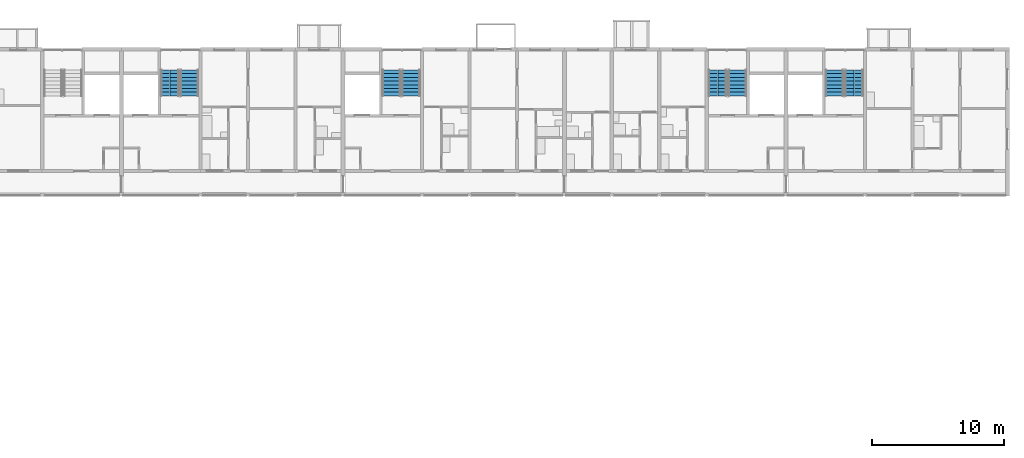
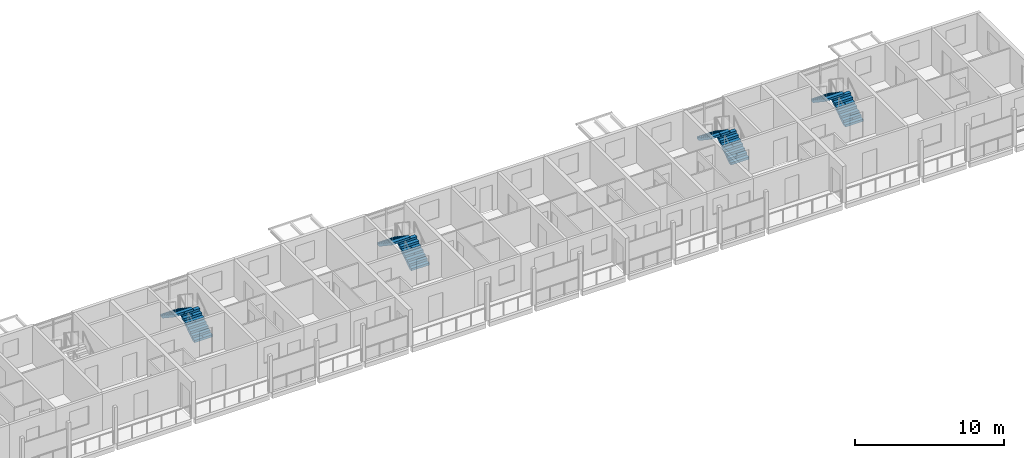
# One storey, part 76 of 115: 8 stair flights, 4 elements without a shape of their own.
"""IFC4 building model written with IfcOpenShell, lengths in metres."""

import ifcopenshell
import ifcopenshell.guid

model = None  # the IFC model being written
_history = None  # IfcOwnerHistory: only IFC2X3 demands one
_inside = {}  # id of a spatial element -> (the spatial element, [elements in it])
_under = {}  # id of a project, library or spatial element -> (it, [spatial elements below it])
_declared = {}  # id of a project -> (the project, [libraries it declares])
_typed = {}  # id of a type object -> (the type object, [elements of that type])
_made_of = {}  # id of a material, layer set ... -> (it, [elements and type objects made of it])


def new_model(schema):
    """Start an empty IFC model of exactly this schema.

    Asked for "IFC4X3", IfcOpenShell would pick the latest addendum, in which some entities
    have other attributes; the version numbers below select the first issue.
    IFC2X3 requires an IfcOwnerHistory on every rooted entity: one is made here for all.
    """
    global model, _history
    if schema == "IFC4X3":
        model = ifcopenshell.file(schema_version=(4, 3, 0, 0))
    else:
        model = ifcopenshell.file(schema=schema)
    _inside.clear()
    _under.clear()
    _declared.clear()
    _typed.clear()
    _made_of.clear()
    _history = None
    if model.schema == "IFC2X3":
        org = make("IfcOrganization", Name="unknown")
        user = make(
            "IfcPersonAndOrganization",
            ThePerson=make("IfcPerson", FamilyName="unknown"),
            TheOrganization=org,
        )
        app = make(
            "IfcApplication",
            ApplicationDeveloper=org,
            Version="unknown",
            ApplicationFullName="unknown",
            ApplicationIdentifier="unknown",
        )
        _history = make(
            "IfcOwnerHistory",
            OwningUser=user,
            OwningApplication=app,
            ChangeAction="ADDED",
            CreationDate=0,
        )
    return model


def make(cls, **values):
    """One entity of the class cls with the attributes given. An attribute that is None is left unset."""
    return model.create_entity(
        cls, **{name: value for name, value in values.items() if value is not None}
    )


def rooted(cls, **values):
    """An entity with a GlobalId (a new one), such as an element, a storey or a relation."""
    return make(cls, GlobalId=ifcopenshell.guid.new(), OwnerHistory=_history, **values)


def si_unit(unit_type, name, prefix=None):
    """IfcSIUnit, for example si_unit("LENGTHUNIT", "METRE", prefix="MILLI")."""
    return make("IfcSIUnit", UnitType=unit_type, Prefix=prefix, Name=name)


def assignment(units):
    """IfcUnitAssignment: the units of a project."""
    return None if units is None else make("IfcUnitAssignment", Units=units)


def point(xyz):
    """IfcCartesianPoint."""
    return None if xyz is None else make("IfcCartesianPoint", Coordinates=xyz)


def direction(xyz):
    """IfcDirection."""
    return None if xyz is None else make("IfcDirection", DirectionRatios=xyz)


def frame(location, z_axis=None, x_axis=None):
    """IfcAxis2Placement3D, a coordinate frame: its origin and axes. An axis left out is left unset."""
    return make(
        "IfcAxis2Placement3D",
        Location=point(location),
        Axis=direction(z_axis),
        RefDirection=direction(x_axis),
    )


def origin():
    """The frame at (0, 0, 0) with its axes left unset."""
    return frame((0.0, 0.0, 0.0))


def place(relative_to, where):
    """IfcLocalPlacement: puts the frame where relative to a parent placement (None: the world)."""
    return make(
        "IfcLocalPlacement", PlacementRelTo=relative_to, RelativePlacement=where
    )


def context(
    kind, dimensions, precision=None, world=None, true_north=None, identifier=None
):
    """IfcGeometricRepresentationContext, for example the 3D "Model" context."""
    return make(
        "IfcGeometricRepresentationContext",
        ContextIdentifier=identifier,
        ContextType=kind,
        CoordinateSpaceDimension=dimensions,
        Precision=precision,
        WorldCoordinateSystem=world,
        TrueNorth=true_north,
    )


def subcontext(parent, identifier, kind, view, scale=None):
    """IfcGeometricRepresentationSubContext, for example "Body" below "Model"."""
    return make(
        "IfcGeometricRepresentationSubContext",
        ContextIdentifier=identifier,
        ContextType=kind,
        ParentContext=parent,
        TargetScale=scale,
        TargetView=view,
    )


def project(units=None, contexts=None):
    """IfcProject with its units and contexts."""
    return rooted(
        "IfcProject",
        Name="project",
        RepresentationContexts=contexts,
        UnitsInContext=assignment(units),
    )


def spatial(cls, under=None, at=None, **own):
    """A site, building, storey or space (cls), placed at a placement, below another one or the project."""
    s = rooted(cls, ObjectPlacement=at, **own)
    if under is not None:
        _under.setdefault(under.id(), (under, []))[1].append(s)
    return s


def polyline(points):
    """IfcPolyline through the points."""
    return make("IfcPolyline", Points=[point(p) for p in points])


def outline(outer, holes=None, kind="AREA"):
    """IfcArbitraryClosedProfileDef: a profile drawn as a closed curve; with holes, ...WithVoids."""
    if holes is None:
        return make("IfcArbitraryClosedProfileDef", ProfileType=kind, OuterCurve=outer)
    return make(
        "IfcArbitraryProfileDefWithVoids",
        ProfileType=kind,
        OuterCurve=outer,
        InnerCurves=holes,
    )


def extrude(swept, where, along, depth):
    """IfcExtrudedAreaSolid: the profile swept, set in the frame where, extruded along a direction by depth."""
    return make(
        "IfcExtrudedAreaSolid",
        SweptArea=swept,
        Position=where,
        ExtrudedDirection=direction(along),
        Depth=depth,
    )


def shape(context_of_items, identifier, shape_type, items):
    """IfcShapeRepresentation: the items that make up one representation, for example the "Body"."""
    return make(
        "IfcShapeRepresentation",
        ContextOfItems=context_of_items,
        RepresentationIdentifier=identifier,
        RepresentationType=shape_type,
        Items=items,
    )


def material(Name=None, Category=None):
    """IfcMaterial."""
    return make("IfcMaterial", Name=Name, Category=Category)


def made_of(thing, what):
    """Note that an element or type object is made of a material, layer set ...; save() writes the relation."""
    if what is not None:
        _made_of.setdefault(what.id(), (what, []))[1].append(thing)
    return thing


def type_object(cls, material=None, **own):
    """A type object (cls), such as IfcWallType, which elements share."""
    return made_of(rooted(cls, **own), material)


def element(
    cls,
    number,
    at=None,
    inside=None,
    cuts=None,
    type_object=None,
    material=None,
    context=None,
    identifier="Body",
    shape_type=None,
    held_by="IfcProductDefinitionShape",
    body=None,
    shapes=None,
    **own,
):
    """One element of the class cls, such as IfcWall. Its Tag is "e" and its number.

    at: its placement. inside: the storey or other place that contains it. cuts: it is an
    opening in that element (IfcRelVoidsElement). A single representation is given by context,
    identifier, shape_type and body (its items); several are given by shapes. held_by: the class
    of the entity that holds the representations. save() writes the other relations.
    """
    e = rooted(cls, Tag="e%d" % number, ObjectPlacement=at, **own)
    if body is not None:
        shapes = [shape(context, identifier, shape_type, body)]
    if shapes is not None:
        e.Representation = make(held_by, Representations=shapes)
    if inside is not None:
        _inside.setdefault(inside.id(), (inside, []))[1].append(e)
    if cuts is not None:
        rooted(
            "IfcRelVoidsElement", RelatingBuildingElement=cuts, RelatedOpeningElement=e
        )
    if type_object is not None:
        _typed.setdefault(type_object.id(), (type_object, []))[1].append(e)
    return made_of(e, material)


def aggregate(whole, parts):
    """IfcRelAggregates: a whole, such as a stair, and the parts it consists of."""
    return rooted("IfcRelAggregates", RelatingObject=whole, RelatedObjects=parts)


def save(model, path):
    """Write the relations noted so far, then the file.

    IfcRelAggregates (storeys below a building ...), IfcRelContainedInSpatialStructure (elements
    in a storey), IfcRelDefinesByType, IfcRelAssociatesMaterial and IfcRelDeclares: one each for
    every whole, place, type object, material and project.
    """
    for whole, parts in _under.values():
        aggregate(whole, parts)
    for where, things in _inside.values():
        rooted(
            "IfcRelContainedInSpatialStructure",
            RelatedElements=things,
            RelatingStructure=where,
        )
    for kind, things in _typed.values():
        rooted("IfcRelDefinesByType", RelatedObjects=things, RelatingType=kind)
    for what, things in _made_of.values():
        rooted("IfcRelAssociatesMaterial", RelatedObjects=things, RelatingMaterial=what)
    for by, libraries in _declared.values():
        rooted("IfcRelDeclares", RelatingContext=by, RelatedDefinitions=libraries)
    model.write(path)


model = new_model("IFC4")

# Units and contexts
model_context = context("Model", 3, precision=1e-05, world=origin(), true_north=direction((0.0, 1.0)))
body_context = subcontext(model_context, "Body", "Model", "MODEL_VIEW")
ifc_project = project(units=[si_unit("LENGTHUNIT", "METRE"), si_unit("AREAUNIT", "SQUARE_METRE"), si_unit("VOLUMEUNIT", "CUBIC_METRE"), si_unit("PLANEANGLEUNIT", "RADIAN"), si_unit("MASSUNIT", "GRAM", prefix="KILO")], contexts=[model_context])

# Site, building, storey
site_placement = place(None, origin())
site = spatial("IfcSite", under=ifc_project, at=site_placement, CompositionType="ELEMENT")
building_placement = place(site_placement, origin())
building = spatial("IfcBuilding", under=site, at=building_placement, Name="Ridgestep Commons", CompositionType="ELEMENT")
storey_placement = place(building_placement, frame((0.0, 0.0, 6.0)))
storey = spatial("IfcBuildingStorey", under=building, at=storey_placement, Name="L02", CompositionType="ELEMENT", Elevation=6.0)

# Stair, stair flights
ifc_material_1 = material(Name="Precast concrete C40/50", Category="concrete")
stair_type = type_object("IfcStairType", Name="Escape stair 1400", PredefinedType="HALF_TURN_STAIR", material=ifc_material_1)
stair_1_placement = place(storey_placement, origin())
stair_1 = element("IfcStair", 1, at=stair_1_placement, inside=storey, type_object=stair_type, Name="L02 Escape stair C3C", PredefinedType="HALF_TURN_STAIR")
ifc_material_2 = material(Name="Precast concrete C40/50", Category="concrete")
stair_flight_type = type_object("IfcStairFlightType", Name="Stair flight 1400", PredefinedType="STRAIGHT", material=ifc_material_2)
stair_flight_1_placement = place(storey_placement, frame((185.574951171875, 73.60009765625, 0.0), z_axis=(0.0, 0.0, 1.0), x_axis=(0.0, 1.0, 0.0)))
stair_flight_1 = element("IfcStairFlight", 2, at=stair_flight_1_placement, type_object=stair_flight_type, Name="C3C flight 1", NumberOfRisers=8, NumberOfTreads=7, PredefinedType="STRAIGHT", RiserHeight=0.1875, TreadLength=0.28, context=body_context, shape_type="SweptSolid", body=[
    extrude(outline(polyline([(0.0, 0.0), (0.0, 0.1875), (0.280029296875, 0.1875), (0.280029296875, 0.375), (0.56005859375, 0.375), (0.56005859375, 0.5625), (0.840087890625, 0.5625), (0.840087890625, 0.75), (1.1201171875, 0.75), (1.1201171875, 0.9375), (1.39990234375, 0.9375), (1.39990234375, 1.125), (1.679931640625, 1.125), (1.679931640625, 1.3125), (1.9599609375, 1.3125), (1.9599609375, 1.5), (1.9599609375, 1.132080078125), (0.26953125, 0.0), (0.0, 0.0)])), frame((0.0, 0.699951171875, 0.0), z_axis=(0.0, -1.0, 0.0), x_axis=(1.0, 0.0, 0.0)), (0.0, 0.0, 1.0), 0.695068359375),
    extrude(outline(polyline([(0.0, 0.0), (0.0, 0.1875), (0.280029296875, 0.1875), (0.280029296875, 0.375), (0.56005859375, 0.375), (0.56005859375, 0.5625), (0.840087890625, 0.5625), (0.840087890625, 0.75), (1.1201171875, 0.75), (1.1201171875, 0.9375), (1.39990234375, 0.9375), (1.39990234375, 1.125), (1.679931640625, 1.125), (1.679931640625, 1.3125), (1.9599609375, 1.3125), (1.9599609375, 1.5), (1.9599609375, 1.132080078125), (0.26953125, 0.0), (0.0, 0.0)])), frame((0.0, -0.0048828125, 0.0), z_axis=(0.0, -1.0, 0.0), x_axis=(1.0, 0.0, 0.0)), (0.0, 0.0, 1.0), 0.695068359375),
])
stair_flight_2_placement = place(storey_placement, frame((184.074951171875, 75.56005859375, 1.5), z_axis=(0.0, 0.0, 1.0), x_axis=(0.0, -1.0, 0.0)))
stair_flight_2 = element("IfcStairFlight", 3, at=stair_flight_2_placement, type_object=stair_flight_type, Name="C3C flight 2", NumberOfRisers=8, NumberOfTreads=7, PredefinedType="STRAIGHT", RiserHeight=0.1875, TreadLength=0.28, context=body_context, shape_type="SweptSolid", body=[
    extrude(outline(polyline([(0.0, 0.0), (0.0, 0.1875), (0.280029296875, 0.1875), (0.280029296875, 0.375), (0.56005859375, 0.375), (0.56005859375, 0.5625), (0.840087890625, 0.5625), (0.840087890625, 0.75), (1.1201171875, 0.75), (1.1201171875, 0.9375), (1.39990234375, 0.9375), (1.39990234375, 1.125), (1.679931640625, 1.125), (1.679931640625, 1.3125), (1.9599609375, 1.3125), (1.9599609375, 1.5), (1.9599609375, 1.132080078125), (0.26953125, 0.0), (0.0, 0.0)])), frame((0.0, 0.699951171875, 0.0), z_axis=(0.0, -1.0, 0.0), x_axis=(1.0, 0.0, 0.0)), (0.0, 0.0, 1.0), 0.695068359375),
    extrude(outline(polyline([(0.0, 0.0), (0.0, 0.1875), (0.280029296875, 0.1875), (0.280029296875, 0.375), (0.56005859375, 0.375), (0.56005859375, 0.5625), (0.840087890625, 0.5625), (0.840087890625, 0.75), (1.1201171875, 0.75), (1.1201171875, 0.9375), (1.39990234375, 0.9375), (1.39990234375, 1.125), (1.679931640625, 1.125), (1.679931640625, 1.3125), (1.9599609375, 1.3125), (1.9599609375, 1.5), (1.9599609375, 1.132080078125), (0.26953125, 0.0), (0.0, 0.0)])), frame((0.0, -0.0048828125, 0.0), z_axis=(0.0, -1.0, 0.0), x_axis=(1.0, 0.0, 0.0)), (0.0, 0.0, 1.0), 0.695068359375),
])
aggregate(stair_1, [stair_flight_1, stair_flight_2])

stair_2_placement = place(storey_placement, origin())
stair_2 = element("IfcStair", 4, at=stair_2_placement, inside=storey, type_object=stair_type, Name="L02 Escape stair C4C", PredefinedType="HALF_TURN_STAIR")
stair_flight_3_placement = place(storey_placement, frame((202.375, 73.60009765625, 0.0), z_axis=(0.0, 0.0, 1.0), x_axis=(0.0, 1.0, 0.0)))
stair_flight_3 = element("IfcStairFlight", 5, at=stair_flight_3_placement, type_object=stair_flight_type, Name="C4C flight 1", NumberOfRisers=8, NumberOfTreads=7, PredefinedType="STRAIGHT", RiserHeight=0.1875, TreadLength=0.28, context=body_context, shape_type="SweptSolid", body=[
    extrude(outline(polyline([(0.0, 0.0), (0.0, 0.1875), (0.280029296875, 0.1875), (0.280029296875, 0.375), (0.56005859375, 0.375), (0.56005859375, 0.5625), (0.840087890625, 0.5625), (0.840087890625, 0.75), (1.1201171875, 0.75), (1.1201171875, 0.9375), (1.39990234375, 0.9375), (1.39990234375, 1.125), (1.679931640625, 1.125), (1.679931640625, 1.3125), (1.9599609375, 1.3125), (1.9599609375, 1.5), (1.9599609375, 1.132080078125), (0.26953125, 0.0), (0.0, 0.0)])), frame((0.0, 0.699951171875, 0.0), z_axis=(0.0, -1.0, 0.0), x_axis=(1.0, 0.0, 0.0)), (0.0, 0.0, 1.0), 0.695068359375),
    extrude(outline(polyline([(0.0, 0.0), (0.0, 0.1875), (0.280029296875, 0.1875), (0.280029296875, 0.375), (0.56005859375, 0.375), (0.56005859375, 0.5625), (0.840087890625, 0.5625), (0.840087890625, 0.75), (1.1201171875, 0.75), (1.1201171875, 0.9375), (1.39990234375, 0.9375), (1.39990234375, 1.125), (1.679931640625, 1.125), (1.679931640625, 1.3125), (1.9599609375, 1.3125), (1.9599609375, 1.5), (1.9599609375, 1.132080078125), (0.26953125, 0.0), (0.0, 0.0)])), frame((0.0, -0.0048828125, 0.0), z_axis=(0.0, -1.0, 0.0), x_axis=(1.0, 0.0, 0.0)), (0.0, 0.0, 1.0), 0.695068359375),
])
stair_flight_4_placement = place(storey_placement, frame((200.875, 75.56005859375, 1.5), z_axis=(0.0, 0.0, 1.0), x_axis=(0.0, -1.0, 0.0)))
stair_flight_4 = element("IfcStairFlight", 6, at=stair_flight_4_placement, type_object=stair_flight_type, Name="C4C flight 2", NumberOfRisers=8, NumberOfTreads=7, PredefinedType="STRAIGHT", RiserHeight=0.1875, TreadLength=0.28, context=body_context, shape_type="SweptSolid", body=[
    extrude(outline(polyline([(0.0, 0.0), (0.0, 0.1875), (0.280029296875, 0.1875), (0.280029296875, 0.375), (0.56005859375, 0.375), (0.56005859375, 0.5625), (0.840087890625, 0.5625), (0.840087890625, 0.75), (1.1201171875, 0.75), (1.1201171875, 0.9375), (1.39990234375, 0.9375), (1.39990234375, 1.125), (1.679931640625, 1.125), (1.679931640625, 1.3125), (1.9599609375, 1.3125), (1.9599609375, 1.5), (1.9599609375, 1.132080078125), (0.26953125, 0.0), (0.0, 0.0)])), frame((0.0, 0.699951171875, 0.0), z_axis=(0.0, -1.0, 0.0), x_axis=(1.0, 0.0, 0.0)), (0.0, 0.0, 1.0), 0.695068359375),
    extrude(outline(polyline([(0.0, 0.0), (0.0, 0.1875), (0.280029296875, 0.1875), (0.280029296875, 0.375), (0.56005859375, 0.375), (0.56005859375, 0.5625), (0.840087890625, 0.5625), (0.840087890625, 0.75), (1.1201171875, 0.75), (1.1201171875, 0.9375), (1.39990234375, 0.9375), (1.39990234375, 1.125), (1.679931640625, 1.125), (1.679931640625, 1.3125), (1.9599609375, 1.3125), (1.9599609375, 1.5), (1.9599609375, 1.132080078125), (0.26953125, 0.0), (0.0, 0.0)])), frame((0.0, -0.0048828125, 0.0), z_axis=(0.0, -1.0, 0.0), x_axis=(1.0, 0.0, 0.0)), (0.0, 0.0, 1.0), 0.695068359375),
])
aggregate(stair_2, [stair_flight_3, stair_flight_4])

stair_3_placement = place(storey_placement, origin())
stair_3 = element("IfcStair", 7, at=stair_3_placement, inside=storey, type_object=stair_type, Name="L02 Escape stair C5C", PredefinedType="HALF_TURN_STAIR")
stair_flight_5_placement = place(storey_placement, frame((227.125, 73.60009765625, 0.0), z_axis=(0.0, 0.0, 1.0), x_axis=(0.0, 1.0, 0.0)))
stair_flight_5 = element("IfcStairFlight", 8, at=stair_flight_5_placement, type_object=stair_flight_type, Name="C5C flight 1", NumberOfRisers=8, NumberOfTreads=7, PredefinedType="STRAIGHT", RiserHeight=0.1875, TreadLength=0.28, context=body_context, shape_type="SweptSolid", body=[
    extrude(outline(polyline([(0.0, 0.0), (0.0, 0.1875), (0.280029296875, 0.1875), (0.280029296875, 0.375), (0.56005859375, 0.375), (0.56005859375, 0.5625), (0.840087890625, 0.5625), (0.840087890625, 0.75), (1.1201171875, 0.75), (1.1201171875, 0.9375), (1.39990234375, 0.9375), (1.39990234375, 1.125), (1.679931640625, 1.125), (1.679931640625, 1.3125), (1.9599609375, 1.3125), (1.9599609375, 1.5), (1.9599609375, 1.132080078125), (0.26953125, 0.0), (0.0, 0.0)])), frame((0.0, 0.699951171875, 0.0), z_axis=(0.0, -1.0, 0.0), x_axis=(1.0, 0.0, 0.0)), (0.0, 0.0, 1.0), 0.695068359375),
    extrude(outline(polyline([(0.0, 0.0), (0.0, 0.1875), (0.280029296875, 0.1875), (0.280029296875, 0.375), (0.56005859375, 0.375), (0.56005859375, 0.5625), (0.840087890625, 0.5625), (0.840087890625, 0.75), (1.1201171875, 0.75), (1.1201171875, 0.9375), (1.39990234375, 0.9375), (1.39990234375, 1.125), (1.679931640625, 1.125), (1.679931640625, 1.3125), (1.9599609375, 1.3125), (1.9599609375, 1.5), (1.9599609375, 1.132080078125), (0.26953125, 0.0), (0.0, 0.0)])), frame((0.0, -0.0048828125, 0.0), z_axis=(0.0, -1.0, 0.0), x_axis=(1.0, 0.0, 0.0)), (0.0, 0.0, 1.0), 0.695068359375),
])
stair_flight_6_placement = place(storey_placement, frame((225.625, 75.56005859375, 1.5), z_axis=(0.0, 0.0, 1.0), x_axis=(0.0, -1.0, 0.0)))
stair_flight_6 = element("IfcStairFlight", 9, at=stair_flight_6_placement, type_object=stair_flight_type, Name="C5C flight 2", NumberOfRisers=8, NumberOfTreads=7, PredefinedType="STRAIGHT", RiserHeight=0.1875, TreadLength=0.28, context=body_context, shape_type="SweptSolid", body=[
    extrude(outline(polyline([(0.0, 0.0), (0.0, 0.1875), (0.280029296875, 0.1875), (0.280029296875, 0.375), (0.56005859375, 0.375), (0.56005859375, 0.5625), (0.840087890625, 0.5625), (0.840087890625, 0.75), (1.1201171875, 0.75), (1.1201171875, 0.9375), (1.39990234375, 0.9375), (1.39990234375, 1.125), (1.679931640625, 1.125), (1.679931640625, 1.3125), (1.9599609375, 1.3125), (1.9599609375, 1.5), (1.9599609375, 1.132080078125), (0.26953125, 0.0), (0.0, 0.0)])), frame((0.0, 0.699951171875, 0.0), z_axis=(0.0, -1.0, 0.0), x_axis=(1.0, 0.0, 0.0)), (0.0, 0.0, 1.0), 0.695068359375),
    extrude(outline(polyline([(0.0, 0.0), (0.0, 0.1875), (0.280029296875, 0.1875), (0.280029296875, 0.375), (0.56005859375, 0.375), (0.56005859375, 0.5625), (0.840087890625, 0.5625), (0.840087890625, 0.75), (1.1201171875, 0.75), (1.1201171875, 0.9375), (1.39990234375, 0.9375), (1.39990234375, 1.125), (1.679931640625, 1.125), (1.679931640625, 1.3125), (1.9599609375, 1.3125), (1.9599609375, 1.5), (1.9599609375, 1.132080078125), (0.26953125, 0.0), (0.0, 0.0)])), frame((0.0, -0.0048828125, 0.0), z_axis=(0.0, -1.0, 0.0), x_axis=(1.0, 0.0, 0.0)), (0.0, 0.0, 1.0), 0.695068359375),
])
aggregate(stair_3, [stair_flight_5, stair_flight_6])

stair_4_placement = place(storey_placement, origin())
stair_4 = element("IfcStair", 10, at=stair_4_placement, inside=storey, type_object=stair_type, Name="L02 Escape stair C6C", PredefinedType="HALF_TURN_STAIR")
stair_flight_7_placement = place(storey_placement, frame((235.97509765625, 73.60009765625, 0.0), z_axis=(0.0, 0.0, 1.0), x_axis=(0.0, 1.0, 0.0)))
stair_flight_7 = element("IfcStairFlight", 11, at=stair_flight_7_placement, type_object=stair_flight_type, Name="C6C flight 1", NumberOfRisers=8, NumberOfTreads=7, PredefinedType="STRAIGHT", RiserHeight=0.1875, TreadLength=0.28, context=body_context, shape_type="SweptSolid", body=[
    extrude(outline(polyline([(0.0, 0.0), (0.0, 0.1875), (0.280029296875, 0.1875), (0.280029296875, 0.375), (0.56005859375, 0.375), (0.56005859375, 0.5625), (0.840087890625, 0.5625), (0.840087890625, 0.75), (1.1201171875, 0.75), (1.1201171875, 0.9375), (1.39990234375, 0.9375), (1.39990234375, 1.125), (1.679931640625, 1.125), (1.679931640625, 1.3125), (1.9599609375, 1.3125), (1.9599609375, 1.5), (1.9599609375, 1.132080078125), (0.26953125, 0.0), (0.0, 0.0)])), frame((0.0, 0.699951171875, 0.0), z_axis=(0.0, -1.0, 0.0), x_axis=(1.0, 0.0, 0.0)), (0.0, 0.0, 1.0), 0.695068359375),
    extrude(outline(polyline([(0.0, 0.0), (0.0, 0.1875), (0.280029296875, 0.1875), (0.280029296875, 0.375), (0.56005859375, 0.375), (0.56005859375, 0.5625), (0.840087890625, 0.5625), (0.840087890625, 0.75), (1.1201171875, 0.75), (1.1201171875, 0.9375), (1.39990234375, 0.9375), (1.39990234375, 1.125), (1.679931640625, 1.125), (1.679931640625, 1.3125), (1.9599609375, 1.3125), (1.9599609375, 1.5), (1.9599609375, 1.132080078125), (0.26953125, 0.0), (0.0, 0.0)])), frame((0.0, -0.0048828125, 0.0), z_axis=(0.0, -1.0, 0.0), x_axis=(1.0, 0.0, 0.0)), (0.0, 0.0, 1.0), 0.695068359375),
])
stair_flight_8_placement = place(storey_placement, frame((234.47509765625, 75.56005859375, 1.5), z_axis=(0.0, 0.0, 1.0), x_axis=(0.0, -1.0, 0.0)))
stair_flight_8 = element("IfcStairFlight", 12, at=stair_flight_8_placement, type_object=stair_flight_type, Name="C6C flight 2", NumberOfRisers=8, NumberOfTreads=7, PredefinedType="STRAIGHT", RiserHeight=0.1875, TreadLength=0.28, context=body_context, shape_type="SweptSolid", body=[
    extrude(outline(polyline([(0.0, 0.0), (0.0, 0.1875), (0.280029296875, 0.1875), (0.280029296875, 0.375), (0.56005859375, 0.375), (0.56005859375, 0.5625), (0.840087890625, 0.5625), (0.840087890625, 0.75), (1.1201171875, 0.75), (1.1201171875, 0.9375), (1.39990234375, 0.9375), (1.39990234375, 1.125), (1.679931640625, 1.125), (1.679931640625, 1.3125), (1.9599609375, 1.3125), (1.9599609375, 1.5), (1.9599609375, 1.132080078125), (0.26953125, 0.0), (0.0, 0.0)])), frame((0.0, 0.699951171875, 0.0), z_axis=(0.0, -1.0, 0.0), x_axis=(1.0, 0.0, 0.0)), (0.0, 0.0, 1.0), 0.695068359375),
    extrude(outline(polyline([(0.0, 0.0), (0.0, 0.1875), (0.280029296875, 0.1875), (0.280029296875, 0.375), (0.56005859375, 0.375), (0.56005859375, 0.5625), (0.840087890625, 0.5625), (0.840087890625, 0.75), (1.1201171875, 0.75), (1.1201171875, 0.9375), (1.39990234375, 0.9375), (1.39990234375, 1.125), (1.679931640625, 1.125), (1.679931640625, 1.3125), (1.9599609375, 1.3125), (1.9599609375, 1.5), (1.9599609375, 1.132080078125), (0.26953125, 0.0), (0.0, 0.0)])), frame((0.0, -0.0048828125, 0.0), z_axis=(0.0, -1.0, 0.0), x_axis=(1.0, 0.0, 0.0)), (0.0, 0.0, 1.0), 0.695068359375),
])
aggregate(stair_4, [stair_flight_7, stair_flight_8])

save(model, "model.ifc")
